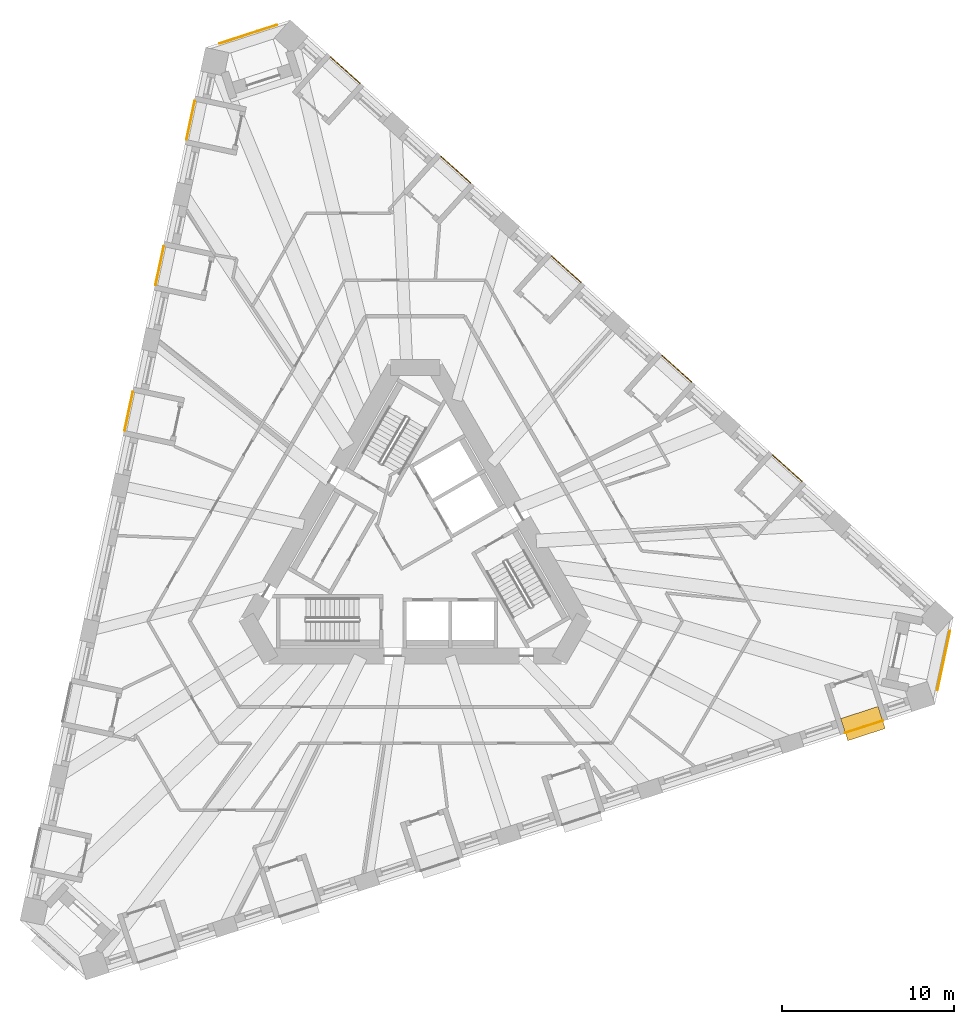
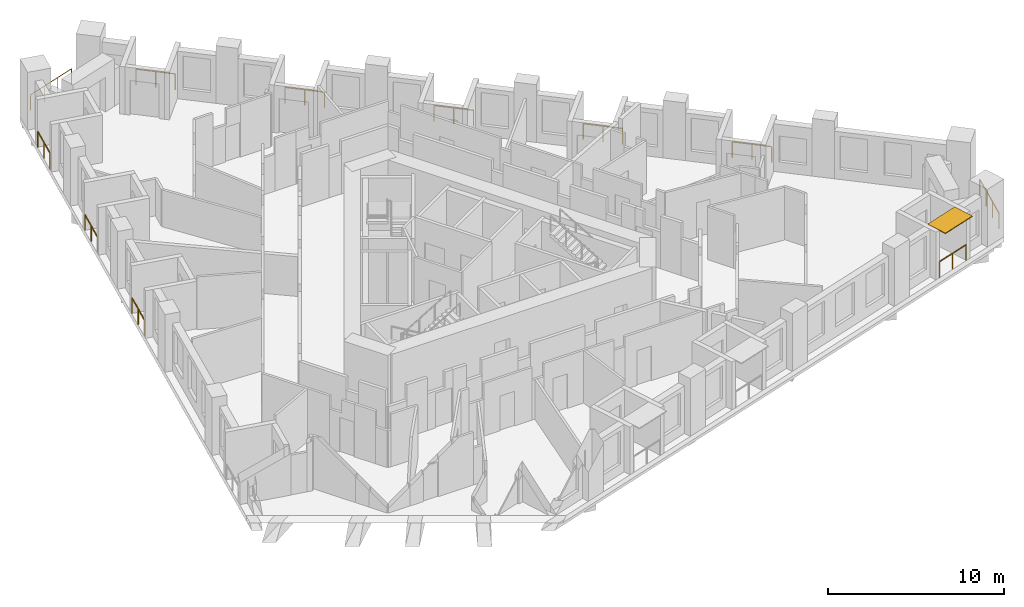
# One storey, part 13 of 13: 11 railings, 1 shading device.
"""IFC4 building model written with IfcOpenShell, lengths in metres."""

from ifc_helpers import new_model, si_unit, direction, frame, origin, origin_2d, place, context, subcontext, project, spatial, rectangle, circle, extrude, material, layer, layer_set, type_object, element, save


model = new_model("IFC4")

# Units and contexts
model_context = context("Model", 3, precision=1e-05, world=origin(), true_north=direction((0.0, 1.0)))
body_context = subcontext(model_context, "Body", "Model", "MODEL_VIEW")
ifc_project = project(units=[si_unit("LENGTHUNIT", "METRE"), si_unit("AREAUNIT", "SQUARE_METRE"), si_unit("VOLUMEUNIT", "CUBIC_METRE"), si_unit("PLANEANGLEUNIT", "RADIAN"), si_unit("MASSUNIT", "GRAM", prefix="KILO")], contexts=[model_context])

# Site, building, storey
site_placement = place(None, origin())
site = spatial("IfcSite", under=ifc_project, at=site_placement, CompositionType="ELEMENT")
building_placement = place(site_placement, origin())
building = spatial("IfcBuilding", under=site, at=building_placement, Name="Tramontana Tower", CompositionType="ELEMENT")
storey_placement = place(building_placement, frame((0.0, 0.0, 112.39990234375)))
storey = spatial("IfcBuildingStorey", under=building, at=storey_placement, Name="L25", CompositionType="ELEMENT", Elevation=112.39990234375)

# Railings
ifc_material_1 = material(Name="Laminated glass balustrade", Category="glass")
railing_type = type_object("IfcRailingType", Name="GD1 Loggia glass balustrade 1100", PredefinedType="BALUSTRADE", material=ifc_material_1)
railing_1_placement = place(storey_placement, frame((-12.838134765625, 26.031982421875, 0.0)))
element("IfcRailing", 1, at=railing_1_placement, inside=storey, type_object=railing_type, Name="Loggia balustrade L25 G2S0.1", PredefinedType="BALUSTRADE", context=body_context, shape_type="SweptSolid", body=[
    extrude(circle(Radius=0.02392578125, at=origin_2d()), frame((0.0, 0.0, 1.076171875), z_axis=(-0.207990282514, -0.978130892253, 0.0), x_axis=(0.978130892253, -0.207990282514, 0.0)), (0.0, 0.0, 1.0), 2.28662109375),
    extrude(circle(Radius=0.02099609375, at=origin_2d()), origin(), (0.0, 0.0, 1.0), 1.052001953125),
    extrude(circle(Radius=0.02099609375, at=origin_2d()), frame((-0.23779296875, -1.1181640625, 0.0)), (0.0, 0.0, 1.0), 1.052001953125),
    extrude(circle(Radius=0.02099609375, at=origin_2d()), frame((-0.4755859375, -2.236572265625, 0.0)), (0.0, 0.0, 1.0), 1.052001953125),
])
for number, where, name in (
    (2, (-14.638671875, 17.56103515625, 0.0), "Loggia balustrade L25 G2S0.4"),
    (3, (-16.439208984375, 9.090087890625, 0.0), "Loggia balustrade L25 G2S0.7"),
):
    element("IfcRailing", number, at=place(storey_placement, frame(where)), inside=storey, type_object=railing_type, Name=name, PredefinedType="BALUSTRADE", context=body_context, shape_type="SweptSolid", body=[
        extrude(circle(Radius=0.02392578125, at=origin_2d()), frame((0.0, 0.0, 1.076171875), z_axis=(-0.207968563016, -0.978135510447, 0.0), x_axis=(0.978135510447, -0.207968563016, 0.0)), (0.0, 0.0, 1.0), 2.286865234375),
        extrude(circle(Radius=0.02099609375, at=origin_2d()), origin(), (0.0, 0.0, 1.0), 1.052001953125),
        extrude(circle(Radius=0.02099609375, at=origin_2d()), frame((-0.23779296875, -1.118408203125, 0.0)), (0.0, 0.0, 1.0), 1.052001953125),
        extrude(circle(Radius=0.02099609375, at=origin_2d()), frame((-0.4755859375, -2.23681640625, 0.0)), (0.0, 0.0, 1.0), 1.052001953125),
    ])
railing_2_placement = place(storey_placement, frame((25.056640625, -10.75341796875, 0.0)))
element("IfcRailing", 4, at=railing_2_placement, inside=storey, type_object=railing_type, Name="Loggia balustrade L25 G2S1.16", PredefinedType="BALUSTRADE", context=body_context, shape_type="SweptSolid", body=[
    extrude(circle(Radius=0.02392578125, at=origin_2d()), frame((0.0, 0.0, 1.076171875), z_axis=(0.95103720697, 0.309076416051, 0.0), x_axis=(-0.309076416051, 0.95103720697, 0.0)), (0.0, 0.0, 1.0), 2.286865234375),
    extrude(circle(Radius=0.02099609375, at=origin_2d()), origin(), (0.0, 0.0, 1.0), 1.052001953125),
    extrude(circle(Radius=0.02099609375, at=origin_2d()), frame((1.08740234375, 0.353515625, 0.0)), (0.0, 0.0, 1.0), 1.052001953125),
    extrude(circle(Radius=0.02099609375, at=origin_2d()), frame((2.1748046875, 0.706787109375, 0.0)), (0.0, 0.0, 1.0), 1.052001953125),
])
for number, where, name in (
    (5, (22.527587890625, 3.89697265625, 0.0), "Loggia balustrade L25 G2S2.4"),
    (6, (16.091796875, 9.69189453125, 0.0), "Loggia balustrade L25 G2S2.7"),
):
    element("IfcRailing", number, at=place(storey_placement, frame(where)), inside=storey, type_object=railing_type, Name=name, PredefinedType="BALUSTRADE", context=body_context, shape_type="SweptSolid", body=[
        extrude(circle(Radius=0.02392578125, at=origin_2d()), frame((0.0, 0.0, 1.076171875), z_axis=(-0.743134851659, 0.66914168324, 0.0), x_axis=(-0.66914168324, -0.743134851659, 0.0)), (0.0, 0.0, 1.0), 2.28662109375),
        extrude(circle(Radius=0.02099609375, at=origin_2d()), origin(), (0.0, 0.0, 1.0), 1.052001953125),
        extrude(circle(Radius=0.02099609375, at=origin_2d()), frame((-0.849609375, 0.76513671875, 0.0)), (0.0, 0.0, 1.0), 1.052001953125),
        extrude(circle(Radius=0.02099609375, at=origin_2d()), frame((-1.69921875, 1.530029296875, 0.0)), (0.0, 0.0, 1.0), 1.052001953125),
    ])
railing_3_placement = place(storey_placement, frame((9.656005859375, 15.486572265625, 0.0)))
element("IfcRailing", 7, at=railing_3_placement, inside=storey, type_object=railing_type, Name="Loggia balustrade L25 G2S2.10", PredefinedType="BALUSTRADE", context=body_context, shape_type="SweptSolid", body=[
    extrude(circle(Radius=0.02392578125, at=origin_2d()), frame((0.0, 0.0, 1.076171875), z_axis=(-0.743081759278, 0.669200641832, 0.0), x_axis=(-0.669200641832, -0.743081759278, 0.0)), (0.0, 0.0, 1.0), 2.28662109375),
    extrude(circle(Radius=0.02099609375, at=origin_2d()), origin(), (0.0, 0.0, 1.0), 1.052001953125),
    extrude(circle(Radius=0.02099609375, at=origin_2d()), frame((-0.849609375, 0.76513671875, 0.0)), (0.0, 0.0, 1.0), 1.052001953125),
    extrude(circle(Radius=0.02099609375, at=origin_2d()), frame((-1.69921875, 1.5302734375, 0.0)), (0.0, 0.0, 1.0), 1.052001953125),
])
for number, where, name in (
    (8, (3.22021484375, 21.281494140625, 0.0), "Loggia balustrade L25 G2S2.13"),
    (9, (-3.215576171875, 27.076416015625, 0.0), "Loggia balustrade L25 G2S2.16"),
):
    element("IfcRailing", number, at=place(storey_placement, frame(where)), inside=storey, type_object=railing_type, Name=name, PredefinedType="BALUSTRADE", context=body_context, shape_type="SweptSolid", body=[
        extrude(circle(Radius=0.02392578125, at=origin_2d()), frame((0.0, 0.0, 1.076171875), z_axis=(-0.743182653308, 0.669088591909, 0.0), x_axis=(-0.669088591909, -0.743182653308, 0.0)), (0.0, 0.0, 1.0), 2.28662109375),
        extrude(circle(Radius=0.02099609375, at=origin_2d()), origin(), (0.0, 0.0, 1.0), 1.052001953125),
        extrude(circle(Radius=0.02099609375, at=origin_2d()), frame((-0.849609375, 0.76513671875, 0.0)), (0.0, 0.0, 1.0), 1.052001953125),
        extrude(circle(Radius=0.02099609375, at=origin_2d()), frame((-1.699462890625, 1.530029296875, 0.0)), (0.0, 0.0, 1.0), 1.052001953125),
    ])
railing_4_placement = place(storey_placement, frame((-11.38916015625, 29.388916015625, 0.0)))
element("IfcRailing", 10, at=railing_4_placement, inside=storey, type_object=railing_type, Name="Corner loggia balustrade L25 K20", PredefinedType="BALUSTRADE", context=body_context, shape_type="SweptSolid", body=[
    extrude(circle(Radius=0.02392578125, at=origin_2d()), frame((0.0, 0.0, 1.076171875), z_axis=(0.951062257173, 0.308999325213, 0.0), x_axis=(-0.308999325213, 0.951062257173, 0.0)), (0.0, 0.0, 1.0), 3.500244140625),
    extrude(circle(Radius=0.02099609375, at=origin_2d()), origin(), (0.0, 0.0, 1.0), 1.052001953125),
    extrude(circle(Radius=0.02099609375, at=origin_2d()), frame((1.109619140625, 0.360595703125, 0.0)), (0.0, 0.0, 1.0), 1.052001953125),
    extrude(circle(Radius=0.02099609375, at=origin_2d()), frame((2.21923828125, 0.720947265625, 0.0)), (0.0, 0.0, 1.0), 1.052001953125),
    extrude(circle(Radius=0.02099609375, at=origin_2d()), frame((3.328857421875, 1.08154296875, 0.0)), (0.0, 0.0, 1.0), 1.052001953125),
])
railing_5_placement = place(storey_placement, frame((31.146240234375, -4.831298828125, 0.0)))
element("IfcRailing", 11, at=railing_5_placement, inside=storey, type_object=railing_type, Name="Corner loggia balustrade L25 K22", PredefinedType="BALUSTRADE", context=body_context, shape_type="SweptSolid", body=[
    extrude(circle(Radius=0.02392578125, at=origin_2d()), frame((0.0, 0.0, 1.076171875), z_axis=(-0.207947190288, -0.978140054415, 0.0), x_axis=(0.978140054415, -0.207947190288, 0.0)), (0.0, 0.0, 1.0), 3.499755859375),
    extrude(circle(Radius=0.02099609375, at=origin_2d()), origin(), (0.0, 0.0, 1.0), 1.052001953125),
    extrude(circle(Radius=0.02099609375, at=origin_2d()), frame((-0.24267578125, -1.14111328125, 0.0)), (0.0, 0.0, 1.0), 1.052001953125),
    extrude(circle(Radius=0.02099609375, at=origin_2d()), frame((-0.485107421875, -2.2822265625, 0.0)), (0.0, 0.0, 1.0), 1.052001953125),
    extrude(circle(Radius=0.02099609375, at=origin_2d()), frame((-0.727783203125, -3.42333984375, 0.0)), (0.0, 0.0, 1.0), 1.052001953125),
])

# Shading device
ifc_material_2 = material(Name="Precast concrete 60 MPa", Category="concrete")
ifc_layer = layer(ifc_material_2, 0.06005859375)
ifc_layer_set = layer_set([ifc_layer], Name="SS1 Stone sunshade blade 60")
shading_device_type = type_object("IfcShadingDeviceType", Name="SS1 Stone sunshade blade 60", PredefinedType="USERDEFINED", material=ifc_layer_set)
shading_device_placement = place(storey_placement, frame((26.083740234375, -10.214599609375, 3.239990234375), z_axis=(0.0, 0.0, 1.0), x_axis=(0.951056516295, 0.309016994375, 0.0)))
element("IfcShadingDevice", 12, at=shading_device_placement, inside=storey, type_object=shading_device_type, Name="Sunshade L25 G2S1.16", ObjectType="SUNSHADE", PredefinedType="USERDEFINED", context=body_context, shape_type="SweptSolid", body=[
    extrude(rectangle(XDim=2.286865234375, YDim=1.35009765625, at=origin_2d()), origin(), (0.0, 0.0, 1.0), 0.06005859375),
])

save(model, "model.ifc")
